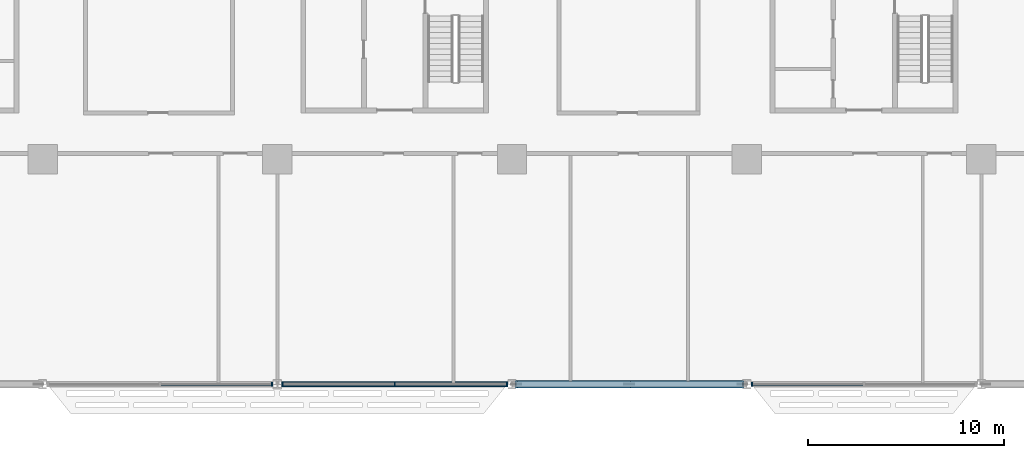
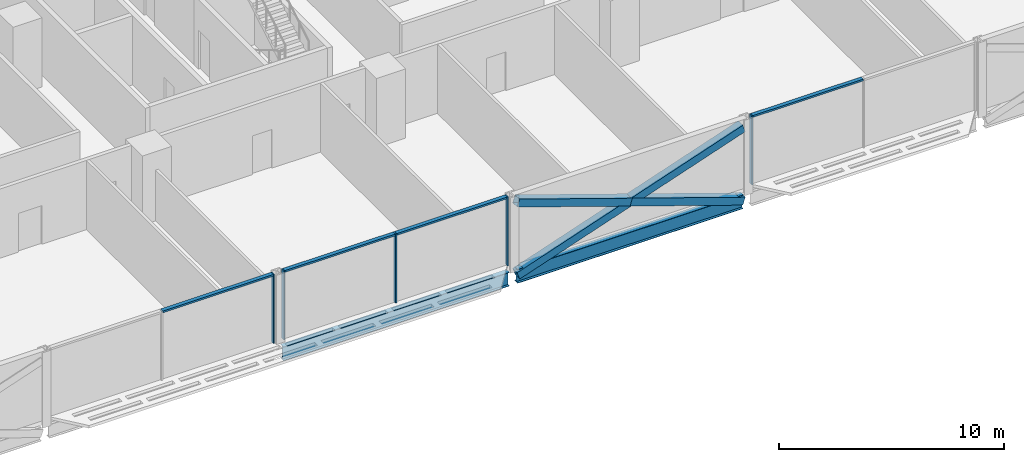
# One storey, part 5 of 29: 12 members, 2 beams, 3 elements without a shape of their own.
"""IFC4 building model written with IfcOpenShell, lengths in metres."""

from ifc_helpers import new_model, si_unit, direction, frame, origin, origin_2d, place, context, subcontext, project, spatial, rectangle, hollow_rectangle, i_section, extrude, material, material_profile, profile_set, type_object, element, aggregate, save


model = new_model("IFC4")

# Units and contexts
model_context = context("Model", 3, precision=1e-05, world=origin(), true_north=direction((0.0, 1.0)))
body_context = subcontext(model_context, "Body", "Model", "MODEL_VIEW")
ifc_project = project(units=[si_unit("LENGTHUNIT", "METRE"), si_unit("AREAUNIT", "SQUARE_METRE"), si_unit("VOLUMEUNIT", "CUBIC_METRE"), si_unit("PLANEANGLEUNIT", "RADIAN"), si_unit("MASSUNIT", "GRAM", prefix="KILO")], contexts=[model_context])

# Site, building, storey
site_placement = place(None, origin())
site = spatial("IfcSite", under=ifc_project, at=site_placement, CompositionType="ELEMENT")
building_placement = place(site_placement, origin())
building = spatial("IfcBuilding", under=site, at=building_placement, Name="Mahtab Terrace Research Tower", CompositionType="ELEMENT")
storey_placement = place(building_placement, frame((0.0, 0.0, 76.10009765625)))
storey = spatial("IfcBuildingStorey", under=building, at=storey_placement, Name="L17", CompositionType="ELEMENT", Elevation=76.10009765625)

# Members
ifc_material_1 = material(Name="Steel ASTM A500 Gr C", Category="steel")
ifc_material_profile_1 = material_profile(ifc_material_1, hollow_rectangle(XDim=0.406494140625, YDim=0.406494140625, WallThickness=0.01904296875, at=origin_2d()), Name="HSS16X16X3/4")
ifc_profile_set_1 = profile_set([ifc_material_profile_1], Name="Steel ASTM A500 Gr C")
member_type_1 = type_object("IfcMemberType", Name="HSS 16x16x3/4 brace XB161634", PredefinedType="BRACE", material=ifc_profile_set_1)
member_1_placement = place(storey_placement, frame((6.212158203125, -23.0, -0.646240234375), z_axis=(0.946533742382, 0.0, 0.322604827201), x_axis=(0.0, 1.0, 0.0)))
element("IfcMember", 1, at=member_1_placement, inside=storey, type_object=member_type_1, Name="Exoskeleton brace L17 17 a", PredefinedType="BRACE", context=body_context, shape_type="SweptSolid", body=[
    extrude(hollow_rectangle(XDim=0.406494140625, YDim=0.406494140625, WallThickness=0.01904296875, at=origin_2d()), origin(), (0.0, 0.0, 1.0), 12.2294921875),
])
for number, where, z_axis, x_axis, name in (
    (2, (17.787841796875, -23.0, -0.646240234375), (-0.946533742382, 0.0, 0.322604827201), (0.0, -1.0, 0.0), "Exoskeleton brace L17 17 b1"),
    (3, (12.0, -23.0, 1.326416015625), (-0.946533742382, 0.0, 0.322604827201), (0.0, -1.0, 0.0), "Exoskeleton brace L17 17 b2"),
):
    element("IfcMember", number, at=place(storey_placement, frame(where, z_axis=z_axis, x_axis=x_axis)), inside=storey, type_object=member_type_1, Name=name, PredefinedType="BRACE", context=body_context, shape_type="SweptSolid", body=[
        extrude(hollow_rectangle(XDim=0.406494140625, YDim=0.406494140625, WallThickness=0.01904296875, at=origin_2d()), origin(), (0.0, 0.0, 1.0), 6.11474609375),
    ])

# Curtain wall, member
ifc_material_2 = material(Name="Laboratory ribbon curtain wall")
curtain_wall_type = type_object("IfcCurtainWallType", Name="Laboratory ribbon curtain wall", PredefinedType="NOTDEFINED", material=ifc_material_2)
curtain_wall_1_placement = place(storey_placement, origin())
curtain_wall_1 = element("IfcCurtainWall", 4, at=curtain_wall_1_placement, inside=storey, type_object=curtain_wall_type, Name="EN.L17.13.25", PredefinedType="NOTDEFINED")
ifc_material_3 = material(Name="Natural anodised aluminium", Category="aluminium")
ifc_material_profile_2 = material_profile(ifc_material_3, rectangle(XDim=0.199951171875, YDim=0.06494140625, at=origin_2d()), Name="MULLION 65x200")
ifc_profile_set_2 = profile_set([ifc_material_profile_2], Name="Natural anodised aluminium")
member_type_2 = type_object("IfcMemberType", Name="Laboratory ribbon curtain wall mullion", PredefinedType="MULLION", material=ifc_profile_set_2)
member_2_placement = place(storey_placement, frame((-6.2705078125, -23.0, 0.0), z_axis=(0.0, 0.0, 1.0), x_axis=(0.0, 1.0, 0.0)))
member_2 = element("IfcMember", 5, at=member_2_placement, type_object=member_type_2, Name="CWL-2 mullion 3", PredefinedType="MULLION", context=body_context, shape_type="SweptSolid", body=[
    extrude(rectangle(XDim=0.199951171875, YDim=0.06494140625, at=origin_2d()), origin(), (0.0, 0.0, 1.0), 3.75),
])

# Curtain wall, members
curtain_wall_2_placement = place(storey_placement, origin())
curtain_wall_2 = element("IfcCurtainWall", 6, at=curtain_wall_2_placement, inside=storey, type_object=curtain_wall_type, Name="EN.L17.13.26", PredefinedType="NOTDEFINED")
member_3_placement = place(storey_placement, frame((-5.7294921875, -23.0, 0.0), z_axis=(0.0, 0.0, 1.0), x_axis=(0.0, 1.0, 0.0)))
member_3 = element("IfcMember", 7, at=member_3_placement, type_object=member_type_2, Name="CWL-2 mullion 1", PredefinedType="MULLION", context=body_context, shape_type="SweptSolid", body=[
    extrude(rectangle(XDim=0.199951171875, YDim=0.06494140625, at=origin_2d()), origin(), (0.0, 0.0, 1.0), 3.75),
])
member_4_placement = place(storey_placement, frame((0.0, -23.0, 0.0), z_axis=(0.0, 0.0, 1.0), x_axis=(0.0, 1.0, 0.0)))
member_4 = element("IfcMember", 8, at=member_4_placement, type_object=member_type_2, Name="CWL-2 mullion 2", PredefinedType="MULLION", context=body_context, shape_type="SweptSolid", body=[
    extrude(rectangle(XDim=0.199951171875, YDim=0.06494140625, at=origin_2d()), origin(), (0.0, 0.0, 1.0), 3.75),
])
member_5_placement = place(storey_placement, frame((5.7294921875, -23.0, 0.0), z_axis=(0.0, 0.0, 1.0), x_axis=(0.0, 1.0, 0.0)))
member_5 = element("IfcMember", 9, at=member_5_placement, type_object=member_type_2, Name="CWL-2 mullion 3", PredefinedType="MULLION", context=body_context, shape_type="SweptSolid", body=[
    extrude(rectangle(XDim=0.199951171875, YDim=0.06494140625, at=origin_2d()), origin(), (0.0, 0.0, 1.0), 3.75),
])

# Curtain wall, member
curtain_wall_3_placement = place(storey_placement, origin())
curtain_wall_3 = element("IfcCurtainWall", 10, at=curtain_wall_3_placement, inside=storey, type_object=curtain_wall_type, Name="EN.L17.13.28", PredefinedType="NOTDEFINED")
member_6_placement = place(storey_placement, frame((18.2705078125, -23.0, 0.0), z_axis=(0.0, 0.0, 1.0), x_axis=(0.0, 1.0, 0.0)))
member_6 = element("IfcMember", 11, at=member_6_placement, type_object=member_type_2, Name="CWL-2 mullion 1", PredefinedType="MULLION", context=body_context, shape_type="SweptSolid", body=[
    extrude(rectangle(XDim=0.199951171875, YDim=0.06494140625, at=origin_2d()), origin(), (0.0, 0.0, 1.0), 3.75),
])

# Member
ifc_material_profile_3 = material_profile(ifc_material_3, rectangle(XDim=0.199951171875, YDim=0.10009765625, at=origin_2d()), Name="TRANSOM 100x200")
ifc_profile_set_3 = profile_set([ifc_material_profile_3], Name="Natural anodised aluminium")
member_type_3 = type_object("IfcMemberType", Name="Laboratory ribbon curtain wall transom", PredefinedType="USERDEFINED", material=ifc_profile_set_3)
member_7_placement = place(storey_placement, frame((-11.967529296875, -23.0, 3.699951171875), z_axis=(1.0, 0.0, 0.0), x_axis=(0.0, 1.0, 0.0)))
member_7 = element("IfcMember", 12, at=member_7_placement, type_object=member_type_3, Name="CWL-2 transom 2", ObjectType="TRANSOM", PredefinedType="USERDEFINED", context=body_context, shape_type="SweptSolid", body=[
    extrude(rectangle(XDim=0.199951171875, YDim=0.10009765625, at=origin_2d()), origin(), (0.0, 0.0, 1.0), 5.66455078125),
])

aggregate(curtain_wall_1, [member_2, member_7])

member_8_placement = place(storey_placement, frame((-5.697021484375, -23.0, 3.699951171875), z_axis=(1.0, 0.0, 0.0), x_axis=(0.0, 1.0, 0.0)))
member_8 = element("IfcMember", 13, at=member_8_placement, type_object=member_type_3, Name="CWL-2 transom 1", ObjectType="TRANSOM", PredefinedType="USERDEFINED", context=body_context, shape_type="SweptSolid", body=[
    extrude(rectangle(XDim=0.199951171875, YDim=0.10009765625, at=origin_2d()), origin(), (0.0, 0.0, 1.0), 5.66455078125),
])

member_9_placement = place(storey_placement, frame((0.032470703125, -23.0, 3.699951171875), z_axis=(1.0, 0.0, 0.0), x_axis=(0.0, 1.0, 0.0)))
member_9 = element("IfcMember", 14, at=member_9_placement, type_object=member_type_3, Name="CWL-2 transom 2", ObjectType="TRANSOM", PredefinedType="USERDEFINED", context=body_context, shape_type="SweptSolid", body=[
    extrude(rectangle(XDim=0.199951171875, YDim=0.10009765625, at=origin_2d()), origin(), (0.0, 0.0, 1.0), 5.66455078125),
])

aggregate(curtain_wall_2, [member_3, member_4, member_5, member_8, member_9])

member_10_placement = place(storey_placement, frame((18.302978515625, -23.0, 3.699951171875), z_axis=(1.0, 0.0, 0.0), x_axis=(0.0, 1.0, 0.0)))
member_10 = element("IfcMember", 15, at=member_10_placement, type_object=member_type_3, Name="CWL-2 transom 1", ObjectType="TRANSOM", PredefinedType="USERDEFINED", context=body_context, shape_type="SweptSolid", body=[
    extrude(rectangle(XDim=0.199951171875, YDim=0.10009765625, at=origin_2d()), origin(), (0.0, 0.0, 1.0), 5.66455078125),
])

aggregate(curtain_wall_3, [member_6, member_10])

# Beams
ifc_material_4 = material(Name="Steel ASTM A992 Gr 50", Category="steel")
ifc_material_profile_4 = material_profile(ifc_material_4, i_section(OverallWidth=0.2666015625, OverallDepth=0.7568359375, WebThickness=0.013916015625, FlangeThickness=0.019287109375, at=origin_2d()), Name="W30X108")
ifc_profile_set_4 = profile_set([ifc_material_profile_4], Name="Steel ASTM A992 Gr 50")
beam_type = type_object("IfcBeamType", Name="W30x108 beam BS30108", PredefinedType="BEAM", material=ifc_profile_set_4)
for number, where, z_axis, x_axis, name in (
    (16, (-5.787841796875, -23.0, -0.718505859375), (1.0, 0.0, 0.0), (0.0, 1.0, 0.0), "Spandrel beam L17 16"),
    (17, (6.212158203125, -23.0, -0.718505859375), (1.0, 0.0, 0.0), (0.0, 1.0, 0.0), "Spandrel beam L17 17"),
):
    element("IfcBeam", number, at=place(storey_placement, frame(where, z_axis=z_axis, x_axis=x_axis)), inside=storey, type_object=beam_type, Name=name, PredefinedType="BEAM", context=body_context, shape_type="SweptSolid", body=[
        extrude(i_section(OverallWidth=0.2666015625, OverallDepth=0.7568359375, WebThickness=0.013916015625, FlangeThickness=0.019287109375, at=origin_2d()), origin(), (0.0, 0.0, 1.0), 11.57568359375),
    ])

save(model, "model.ifc")
